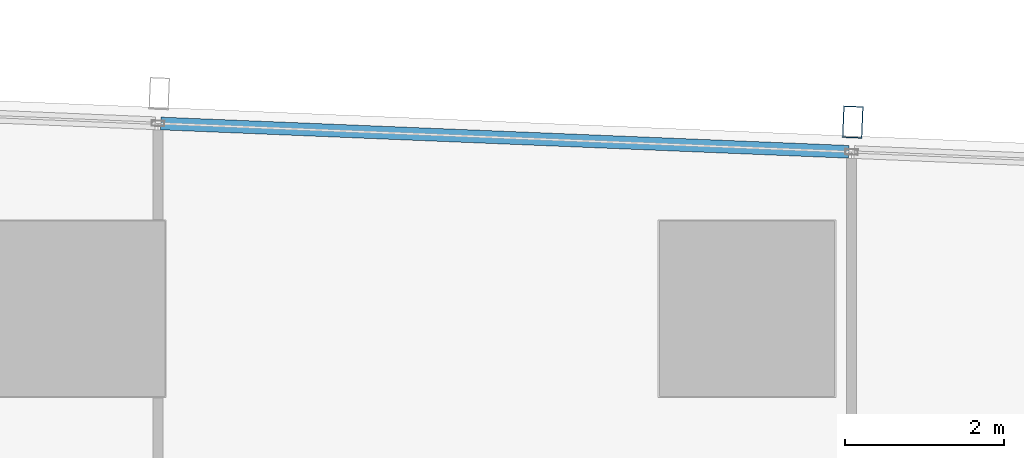
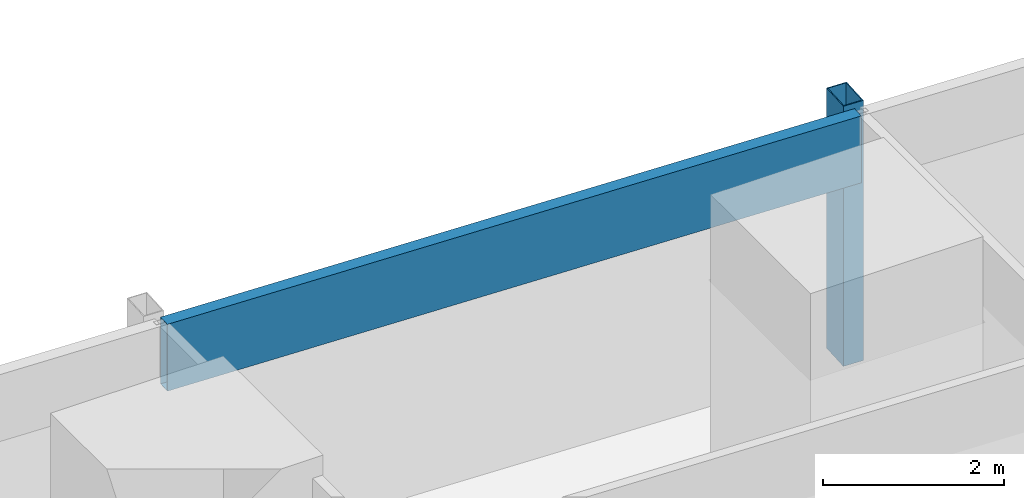
# One storey, part 24 of 44: 2 members, 1 element without a shape of its own.
"""IFC4 building model written with IfcOpenShell, lengths in metres."""

from ifc_helpers import new_model, si_unit, direction, frame, origin, origin_2d, place, context, subcontext, project, spatial, hollow_rectangle, extrude, material, material_profile, profile_set, type_object, element, aggregate, save


model = new_model("IFC4")

# Units and contexts
model_context = context("Model", 3, precision=1e-05, world=origin(), true_north=direction((0.0, 1.0)))
body_context = subcontext(model_context, "Body", "Model", "MODEL_VIEW")
ifc_project = project(units=[si_unit("LENGTHUNIT", "METRE"), si_unit("AREAUNIT", "SQUARE_METRE"), si_unit("VOLUMEUNIT", "CUBIC_METRE"), si_unit("PLANEANGLEUNIT", "RADIAN"), si_unit("MASSUNIT", "GRAM", prefix="KILO")], contexts=[model_context])

# Site, building, storey
site_placement = place(None, origin())
site = spatial("IfcSite", under=ifc_project, at=site_placement, CompositionType="ELEMENT")
building_placement = place(site_placement, origin())
building = spatial("IfcBuilding", under=site, at=building_placement, Name="Rekha Terrace Tower", CompositionType="ELEMENT")
storey_placement = place(building_placement, frame((0.0, 0.0, 62.89990234375)))
storey = spatial("IfcBuildingStorey", under=building, at=storey_placement, Name="L15", CompositionType="ELEMENT", Elevation=62.89990234375)

# Curtain wall, members
ifc_material_1 = material(Name="Aluminium framing", Category="aluminium")
curtain_wall_type = type_object("IfcCurtainWallType", Name="CW3 north unitised glazing", PredefinedType="USERDEFINED", material=ifc_material_1)
curtain_wall_placement = place(storey_placement, origin())
curtain_wall = element("IfcCurtainWall", 1, at=curtain_wall_placement, inside=storey, type_object=curtain_wall_type, Name="CW3 unitised curtain wall", ObjectType="UNITISED CURTAIN WALL", PredefinedType="USERDEFINED")
ifc_material_2 = material(Name="Steel S355 with fluorocarbon finish", Category="steel")
ifc_material_profile_1 = material_profile(ifc_material_2, hollow_rectangle(XDim=0.25, YDim=0.39990234375, WallThickness=0.012451171875, at=origin_2d()), Name="RHS400x250x12.5")
ifc_profile_set_1 = profile_set([ifc_material_profile_1], Name="Steel S355 with fluorocarbon finish")
member_type_1 = type_object("IfcMemberType", Name="BL1 facade blade RHS 400 x 250", PredefinedType="USERDEFINED", material=ifc_profile_set_1)
member_1_placement = place(storey_placement, frame((60.126953125, 61.140869140625, 0.0), z_axis=(0.0, 0.0, 1.0), x_axis=(-0.99915196507, 0.041174636562, 0.0)))
member_1 = element("IfcMember", 2, at=member_1_placement, type_object=member_type_1, Name="Facade blade", ObjectType="FACADE BLADE", PredefinedType="USERDEFINED", context=body_context, shape_type="SweptSolid", body=[
    extrude(hollow_rectangle(XDim=0.25, YDim=0.39990234375, WallThickness=0.012451171875, at=origin_2d()), origin(), (0.0, 0.0, 1.0), 3.5),
])
ifc_material_3 = material(Name="Insulated aluminium spandrel box", Category="aluminium")
ifc_material_profile_2 = material_profile(ifc_material_3, hollow_rectangle(XDim=0.159912109375, YDim=0.89990234375, WallThickness=0.0029296875, at=origin_2d()), Name="AL SPANDREL BOX 160x900")
ifc_profile_set_2 = profile_set([ifc_material_profile_2], Name="Insulated aluminium spandrel box")
member_type_2 = type_object("IfcMemberType", Name="CW3 spandrel transom 160 x 900", PredefinedType="USERDEFINED", material=ifc_profile_set_2)
member_2_placement = place(storey_placement, frame((60.07666015625, 60.767578125, 3.050048828125), z_axis=(-0.999152128669, 0.041170666459, 0.0), x_axis=(-0.041170666459, -0.999152128669, 0.0)))
member_2 = element("IfcMember", 3, at=member_2_placement, type_object=member_type_2, Name="CW3 spandrel transom 2", ObjectType="TRANSOM", PredefinedType="USERDEFINED", context=body_context, shape_type="SweptSolid", body=[
    extrude(hollow_rectangle(XDim=0.159912109375, YDim=0.89990234375, WallThickness=0.0029296875, at=origin_2d()), origin(), (0.0, 0.0, 1.0), 8.634033203125),
])
aggregate(curtain_wall, [member_2, member_1])

save(model, "model.ifc")
